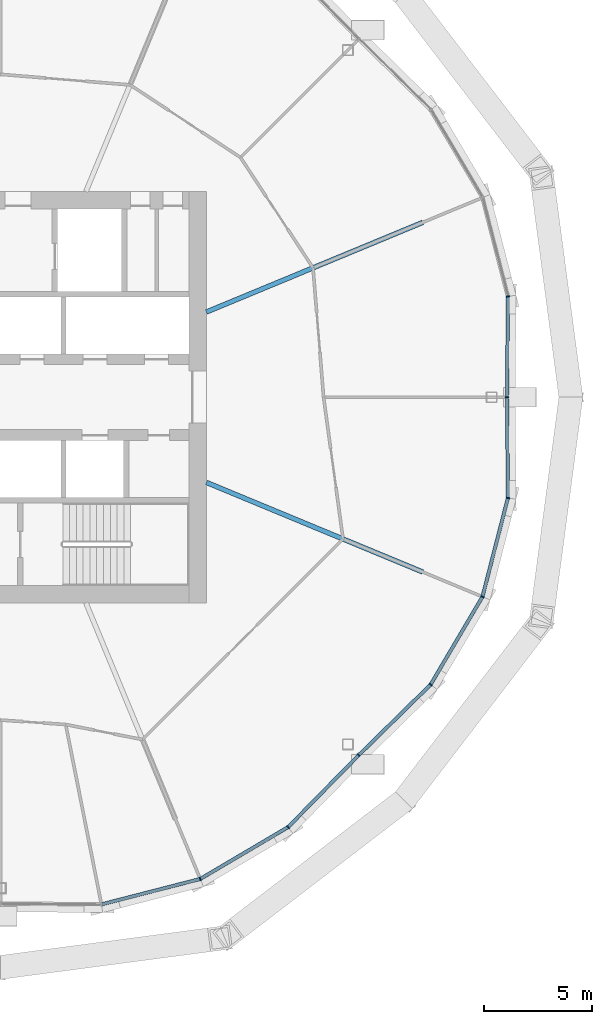
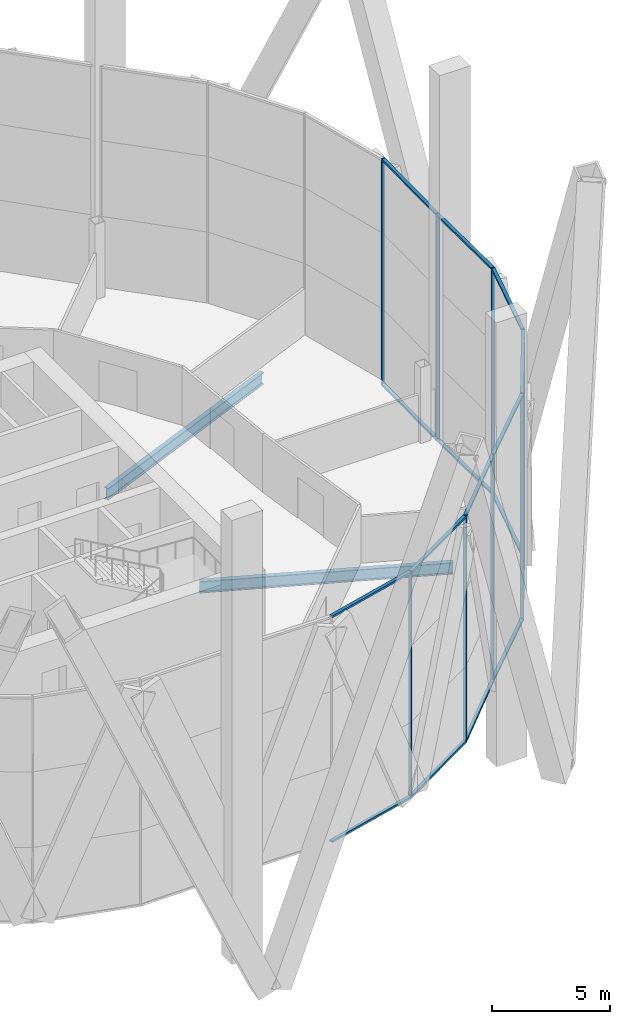
# One storey, part 5 of 26: 24 members, 2 beams, 3 elements without a shape of their own.
"""IFC4 building model written with IfcOpenShell, lengths in metres."""

from ifc_helpers import new_model, si_unit, direction, frame, origin, origin_2d, place, context, subcontext, project, spatial, rectangle, i_section, extrude, material, material_profile, profile_set, type_object, element, aggregate, save


model = new_model("IFC4")

# Units and contexts
model_context = context("Model", 3, precision=1e-05, world=origin(), true_north=direction((0.0, 1.0)))
body_context = subcontext(model_context, "Body", "Model", "MODEL_VIEW")
ifc_project = project(units=[si_unit("LENGTHUNIT", "METRE"), si_unit("AREAUNIT", "SQUARE_METRE"), si_unit("VOLUMEUNIT", "CUBIC_METRE"), si_unit("PLANEANGLEUNIT", "RADIAN"), si_unit("MASSUNIT", "GRAM", prefix="KILO")], contexts=[model_context])

# Site, building, storey
site_placement = place(None, origin())
site = spatial("IfcSite", under=ifc_project, at=site_placement, CompositionType="ELEMENT")
building_placement = place(site_placement, origin())
building = spatial("IfcBuilding", under=site, at=building_placement, Name="Ogive Gate Towers", CompositionType="ELEMENT")
storey_placement = place(building_placement, frame((0.0, 0.0, 76.199951171875)))
storey = spatial("IfcBuildingStorey", under=building, at=storey_placement, Name="L17", CompositionType="ELEMENT", Elevation=76.199951171875)

# Beams
ifc_material_1 = material(Name="Steel SM355", Category="steel")
ifc_material_profile_1 = material_profile(ifc_material_1, i_section(OverallWidth=0.219970703125, OverallDepth=0.60009765625, WebThickness=0.011962890625, FlangeThickness=0.01904296875, FilletRadius=0.02392578125, at=origin_2d()), Name="IPE 600")
ifc_profile_set_1 = profile_set([ifc_material_profile_1], Name="Steel SM355")
beam_type = type_object("IfcBeamType", Name="Radial floor beam IPE 600", PredefinedType="BEAM", material=ifc_profile_set_1)
for number, where, z_axis, x_axis, name in (
    (1, (-26.5, -3.93505859375, -0.599853515625), (0.923882772696, -0.382675609774, 0.0), (0.382675609774, 0.923882772696, 0.0), "T1/L17/SBM003"),
    (2, (-26.5, 3.93505859375, -0.599853515625), (0.923882772696, 0.382675609774, 0.0), (-0.382675609774, 0.923882772696, 0.0), "T1/L17/SBM004"),
):
    element("IfcBeam", number, at=place(storey_placement, frame(where, z_axis=z_axis, x_axis=x_axis)), inside=storey, type_object=beam_type, Name=name, PredefinedType="BEAM", context=body_context, shape_type="SweptSolid", body=[
        extrude(i_section(OverallWidth=0.219970703125, OverallDepth=0.60009765625, WebThickness=0.011962890625, FlangeThickness=0.01904296875, FilletRadius=0.02392578125, at=origin_2d()), origin(), (0.0, 0.0, 1.0), 10.809326171875),
    ])

# Curtain wall, members
ifc_material_2 = material(Name="Pale metal aluminium", Category="aluminium")
curtain_wall_type = type_object("IfcCurtainWallType", Name="Tower unitised wall, low zone", PredefinedType="NOTDEFINED", material=ifc_material_2)
curtain_wall_1_placement = place(storey_placement, origin())
curtain_wall_1 = element("IfcCurtainWall", 3, at=curtain_wall_1_placement, inside=storey, type_object=curtain_wall_type, Name="CW1 T1 ECW01", PredefinedType="NOTDEFINED")
ifc_material_profile_2 = material_profile(ifc_material_2, rectangle(XDim=0.159912109375, YDim=0.06005859375, at=origin_2d()), Name="60 x 160 aluminium box")
ifc_profile_set_2 = profile_set([ifc_material_profile_2], Name="Pale metal aluminium")
member_type_1 = type_object("IfcMemberType", Name="Tower unitised wall, low zone mullion 60 x 160", PredefinedType="MULLION", material=ifc_profile_set_2)
member_1_placement = place(storey_placement, frame((-12.6201171875, 0.000244140625, -0.300048828125), z_axis=(0.0, 0.0, 1.0), x_axis=(0.999957699753, -0.009197755467, 0.0)))
member_1 = element("IfcMember", 4, at=member_1_placement, type_object=member_type_1, Name="CW1 mullion", PredefinedType="MULLION", context=body_context, shape_type="SweptSolid", body=[
    extrude(rectangle(XDim=0.159912109375, YDim=0.06005859375, at=origin_2d()), origin(), (0.0, 0.0, 1.0), 11.7001953125),
])
member_2_placement = place(storey_placement, frame((-12.5771484375, 4.653076171875, -0.300048828125), z_axis=(0.0, 0.0, 1.0), x_axis=(0.992635219858, 0.121141736398, 0.0)))
member_2 = element("IfcMember", 5, at=member_2_placement, type_object=member_type_1, Name="CW1 mullion", PredefinedType="MULLION", context=body_context, shape_type="SweptSolid", body=[
    extrude(rectangle(XDim=0.159912109375, YDim=0.06005859375, at=origin_2d()), origin(), (0.0, 0.0, 1.0), 11.7001953125),
])

curtain_wall_2_placement = place(storey_placement, origin())
curtain_wall_2 = element("IfcCurtainWall", 6, at=curtain_wall_2_placement, inside=storey, type_object=curtain_wall_type, Name="CW1 T1 ECW07", PredefinedType="NOTDEFINED")
member_3_placement = place(storey_placement, frame((-26.78466796875, -22.247802734375, -0.300048828125), z_axis=(0.0, 0.0, 1.0), x_axis=(0.382683432365, -0.923879532511, 0.0)))
member_3 = element("IfcMember", 7, at=member_3_placement, type_object=member_type_1, Name="CW1 mullion", PredefinedType="MULLION", context=body_context, shape_type="SweptSolid", body=[
    extrude(rectangle(XDim=0.159912109375, YDim=0.06005859375, at=origin_2d()), origin(), (0.0, 0.0, 1.0), 11.7001953125),
])
member_4_placement = place(storey_placement, frame((-22.7275390625, -19.8525390625, -0.300048828125), z_axis=(0.0, 0.0, 1.0), x_axis=(0.616238951915, -0.787559238498, 0.0)))
member_4 = element("IfcMember", 8, at=member_4_placement, type_object=member_type_1, Name="CW1 mullion", PredefinedType="MULLION", context=body_context, shape_type="SweptSolid", body=[
    extrude(rectangle(XDim=0.159912109375, YDim=0.06005859375, at=origin_2d()), origin(), (0.0, 0.0, 1.0), 11.7001953125),
])
member_5_placement = place(storey_placement, frame((-19.468017578125, -16.5322265625, -0.300048828125), z_axis=(0.0, 0.0, 1.0), x_axis=(0.713568438241, -0.700585529358, 0.0)))
member_5 = element("IfcMember", 9, at=member_5_placement, type_object=member_type_1, Name="CW1 mullion", PredefinedType="MULLION", context=body_context, shape_type="SweptSolid", body=[
    extrude(rectangle(XDim=0.159912109375, YDim=0.06005859375, at=origin_2d()), origin(), (0.0, 0.0, 1.0), 11.7001953125),
])

curtain_wall_3_placement = place(storey_placement, origin())
curtain_wall_3 = element("IfcCurtainWall", 10, at=curtain_wall_3_placement, inside=storey, type_object=curtain_wall_type, Name="CW1 T1 ECW08", PredefinedType="NOTDEFINED")
member_6_placement = place(storey_placement, frame((-16.1474609375, -13.2724609375, -0.300048828125), z_axis=(0.0, 0.0, 1.0), x_axis=(0.787559238498, -0.616238951915, 0.0)))
member_6 = element("IfcMember", 11, at=member_6_placement, type_object=member_type_1, Name="CW1 mullion", PredefinedType="MULLION", context=body_context, shape_type="SweptSolid", body=[
    extrude(rectangle(XDim=0.159912109375, YDim=0.06005859375, at=origin_2d()), origin(), (0.0, 0.0, 1.0), 11.7001953125),
])
member_7_placement = place(storey_placement, frame((-13.752197265625, -9.21533203125, -0.300048828125), z_axis=(0.0, 0.0, 1.0), x_axis=(0.923879532511, -0.382683432365, 0.0)))
member_7 = element("IfcMember", 12, at=member_7_placement, type_object=member_type_1, Name="CW1 mullion", PredefinedType="MULLION", context=body_context, shape_type="SweptSolid", body=[
    extrude(rectangle(XDim=0.159912109375, YDim=0.06005859375, at=origin_2d()), origin(), (0.0, 0.0, 1.0), 11.7001953125),
])
member_8_placement = place(storey_placement, frame((-12.5771484375, -4.653076171875, -0.300048828125), z_axis=(0.0, 0.0, 1.0), x_axis=(0.992635219858, -0.121141736398, 0.0)))
member_8 = element("IfcMember", 13, at=member_8_placement, type_object=member_type_1, Name="CW1 mullion", PredefinedType="MULLION", context=body_context, shape_type="SweptSolid", body=[
    extrude(rectangle(XDim=0.159912109375, YDim=0.06005859375, at=origin_2d()), origin(), (0.0, 0.0, 1.0), 11.7001953125),
])

# Member
ifc_material_profile_3 = material_profile(ifc_material_2, rectangle(XDim=0.159912109375, YDim=0.10009765625, at=origin_2d()), Name="100 x 160 aluminium box")
ifc_profile_set_3 = profile_set([ifc_material_profile_3], Name="Pale metal aluminium")
member_type_2 = type_object("IfcMemberType", Name="Tower unitised wall, low zone transom 100 x 160", PredefinedType="USERDEFINED", material=ifc_profile_set_3)
member_9_placement = place(storey_placement, frame((-12.61962890625, 0.0302734375, 11.35009765625), z_axis=(0.009190983574, 0.999957762018, 0.0), x_axis=(-0.999957762018, 0.009190983574, 0.0)))
member_9 = element("IfcMember", 14, at=member_9_placement, type_object=member_type_2, Name="CW1 transom", ObjectType="TRANSOM", PredefinedType="USERDEFINED", context=body_context, shape_type="SweptSolid", body=[
    extrude(rectangle(XDim=0.159912109375, YDim=0.10009765625, at=origin_2d()), origin(), (0.0, 0.0, 1.0), 4.595458984375),
])

member_10_placement = place(storey_placement, frame((-12.61962890625, 0.0302734375, -0.25), z_axis=(0.009190983574, 0.999957762018, 0.0), x_axis=(-0.999957762018, 0.009190983574, 0.0)))
member_10 = element("IfcMember", 15, at=member_10_placement, type_object=member_type_2, Name="CW1 transom", ObjectType="TRANSOM", PredefinedType="USERDEFINED", context=body_context, shape_type="SweptSolid", body=[
    extrude(rectangle(XDim=0.159912109375, YDim=0.10009765625, at=origin_2d()), origin(), (0.0, 0.0, 1.0), 4.595458984375),
])

aggregate(curtain_wall_1, [member_1, member_2, member_9, member_10])

member_11_placement = place(storey_placement, frame((-31.320556640625, -23.416015625, 11.35009765625), z_axis=(0.968390972422, 0.249437215612, 0.0), x_axis=(-0.249437215612, 0.968390972422, 0.0)))
member_11 = element("IfcMember", 16, at=member_11_placement, type_object=member_type_2, Name="CW1 transom", ObjectType="TRANSOM", PredefinedType="USERDEFINED", context=body_context, shape_type="SweptSolid", body=[
    extrude(rectangle(XDim=0.159912109375, YDim=0.10009765625, at=origin_2d()), origin(), (0.0, 0.0, 1.0), 4.656982421875),
])

member_12_placement = place(storey_placement, frame((-31.320556640625, -23.416015625, -0.25), z_axis=(0.968390972422, 0.249437215612, 0.0), x_axis=(-0.249437215612, 0.968390972422, 0.0)))
member_12 = element("IfcMember", 17, at=member_12_placement, type_object=member_type_2, Name="CW1 transom", ObjectType="TRANSOM", PredefinedType="USERDEFINED", context=body_context, shape_type="SweptSolid", body=[
    extrude(rectangle(XDim=0.159912109375, YDim=0.10009765625, at=origin_2d()), origin(), (0.0, 0.0, 1.0), 4.656982421875),
])

member_13_placement = place(storey_placement, frame((-26.76123046875, -22.23388671875, 11.35009765625), z_axis=(0.861125816028, 0.508391904902, 0.0), x_axis=(-0.508391904902, 0.861125816028, 0.0)))
member_13 = element("IfcMember", 18, at=member_13_placement, type_object=member_type_2, Name="CW1 transom", ObjectType="TRANSOM", PredefinedType="USERDEFINED", context=body_context, shape_type="SweptSolid", body=[
    extrude(rectangle(XDim=0.159912109375, YDim=0.10009765625, at=origin_2d()), origin(), (0.0, 0.0, 1.0), 4.65673828125),
])

member_14_placement = place(storey_placement, frame((-26.76123046875, -22.23388671875, -0.25), z_axis=(0.861125816028, 0.508391904902, 0.0), x_axis=(-0.508391904902, 0.861125816028, 0.0)))
member_14 = element("IfcMember", 19, at=member_14_placement, type_object=member_type_2, Name="CW1 transom", ObjectType="TRANSOM", PredefinedType="USERDEFINED", context=body_context, shape_type="SweptSolid", body=[
    extrude(rectangle(XDim=0.159912109375, YDim=0.10009765625, at=origin_2d()), origin(), (0.0, 0.0, 1.0), 4.65673828125),
])

member_15_placement = place(storey_placement, frame((-22.70849609375, -19.8330078125, 11.35009765625), z_axis=(0.700568931342, 0.713584733888, 0.0), x_axis=(-0.713584733888, 0.700568931342, 0.0)))
member_15 = element("IfcMember", 20, at=member_15_placement, type_object=member_type_2, Name="CW1 transom", ObjectType="TRANSOM", PredefinedType="USERDEFINED", context=body_context, shape_type="SweptSolid", body=[
    extrude(rectangle(XDim=0.159912109375, YDim=0.10009765625, at=origin_2d()), origin(), (0.0, 0.0, 1.0), 4.595458984375),
])

member_16_placement = place(storey_placement, frame((-22.70849609375, -19.8330078125, -0.25), z_axis=(0.700568931342, 0.713584733888, 0.0), x_axis=(-0.713584733888, 0.700568931342, 0.0)))
member_16 = element("IfcMember", 21, at=member_16_placement, type_object=member_type_2, Name="CW1 transom", ObjectType="TRANSOM", PredefinedType="USERDEFINED", context=body_context, shape_type="SweptSolid", body=[
    extrude(rectangle(XDim=0.159912109375, YDim=0.10009765625, at=origin_2d()), origin(), (0.0, 0.0, 1.0), 4.595458984375),
])

aggregate(curtain_wall_2, [member_3, member_11, member_12, member_4, member_13, member_14, member_5, member_15, member_16])

member_17_placement = place(storey_placement, frame((-19.4462890625, -16.510986328125, 11.35009765625), z_axis=(0.713584733888, 0.700568931342, 0.0), x_axis=(-0.700568931342, 0.713584733888, 0.0)))
member_17 = element("IfcMember", 22, at=member_17_placement, type_object=member_type_2, Name="CW1 transom", ObjectType="TRANSOM", PredefinedType="USERDEFINED", context=body_context, shape_type="SweptSolid", body=[
    extrude(rectangle(XDim=0.159912109375, YDim=0.10009765625, at=origin_2d()), origin(), (0.0, 0.0, 1.0), 4.595458984375),
])

member_18_placement = place(storey_placement, frame((-19.4462890625, -16.510986328125, -0.25), z_axis=(0.713584733888, 0.700568931342, 0.0), x_axis=(-0.700568931342, 0.713584733888, 0.0)))
member_18 = element("IfcMember", 23, at=member_18_placement, type_object=member_type_2, Name="CW1 transom", ObjectType="TRANSOM", PredefinedType="USERDEFINED", context=body_context, shape_type="SweptSolid", body=[
    extrude(rectangle(XDim=0.159912109375, YDim=0.10009765625, at=origin_2d()), origin(), (0.0, 0.0, 1.0), 4.595458984375),
])

member_19_placement = place(storey_placement, frame((-16.133544921875, -13.248779296875, 11.35009765625), z_axis=(0.508391904902, 0.861125816028, 0.0), x_axis=(-0.861125816028, 0.508391904902, 0.0)))
member_19 = element("IfcMember", 24, at=member_19_placement, type_object=member_type_2, Name="CW1 transom", ObjectType="TRANSOM", PredefinedType="USERDEFINED", context=body_context, shape_type="SweptSolid", body=[
    extrude(rectangle(XDim=0.159912109375, YDim=0.10009765625, at=origin_2d()), origin(), (0.0, 0.0, 1.0), 4.65673828125),
])

member_20_placement = place(storey_placement, frame((-16.133544921875, -13.248779296875, -0.25), z_axis=(0.508391904902, 0.861125816028, 0.0), x_axis=(-0.861125816028, 0.508391904902, 0.0)))
member_20 = element("IfcMember", 25, at=member_20_placement, type_object=member_type_2, Name="CW1 transom", ObjectType="TRANSOM", PredefinedType="USERDEFINED", context=body_context, shape_type="SweptSolid", body=[
    extrude(rectangle(XDim=0.159912109375, YDim=0.10009765625, at=origin_2d()), origin(), (0.0, 0.0, 1.0), 4.65673828125),
])

member_21_placement = place(storey_placement, frame((-13.74560546875, -9.189208984375, 11.35009765625), z_axis=(0.249437215612, 0.968390972422, 0.0), x_axis=(-0.968390972422, 0.249437215612, 0.0)))
member_21 = element("IfcMember", 26, at=member_21_placement, type_object=member_type_2, Name="CW1 transom", ObjectType="TRANSOM", PredefinedType="USERDEFINED", context=body_context, shape_type="SweptSolid", body=[
    extrude(rectangle(XDim=0.159912109375, YDim=0.10009765625, at=origin_2d()), origin(), (0.0, 0.0, 1.0), 4.656982421875),
])

member_22_placement = place(storey_placement, frame((-13.74560546875, -9.189208984375, -0.25), z_axis=(0.249437215612, 0.968390972422, 0.0), x_axis=(-0.968390972422, 0.249437215612, 0.0)))
member_22 = element("IfcMember", 27, at=member_22_placement, type_object=member_type_2, Name="CW1 transom", ObjectType="TRANSOM", PredefinedType="USERDEFINED", context=body_context, shape_type="SweptSolid", body=[
    extrude(rectangle(XDim=0.159912109375, YDim=0.10009765625, at=origin_2d()), origin(), (0.0, 0.0, 1.0), 4.656982421875),
])

member_23_placement = place(storey_placement, frame((-12.577392578125, -4.62548828125, 11.35009765625), z_axis=(-0.009190983574, 0.999957762018, 0.0), x_axis=(-0.999957762018, -0.009190983574, 0.0)))
member_23 = element("IfcMember", 28, at=member_23_placement, type_object=member_type_2, Name="CW1 transom", ObjectType="TRANSOM", PredefinedType="USERDEFINED", context=body_context, shape_type="SweptSolid", body=[
    extrude(rectangle(XDim=0.159912109375, YDim=0.10009765625, at=origin_2d()), origin(), (0.0, 0.0, 1.0), 4.595458984375),
])

member_24_placement = place(storey_placement, frame((-12.577392578125, -4.62548828125, -0.25), z_axis=(-0.009190983574, 0.999957762018, 0.0), x_axis=(-0.999957762018, -0.009190983574, 0.0)))
member_24 = element("IfcMember", 29, at=member_24_placement, type_object=member_type_2, Name="CW1 transom", ObjectType="TRANSOM", PredefinedType="USERDEFINED", context=body_context, shape_type="SweptSolid", body=[
    extrude(rectangle(XDim=0.159912109375, YDim=0.10009765625, at=origin_2d()), origin(), (0.0, 0.0, 1.0), 4.595458984375),
])

aggregate(curtain_wall_3, [member_6, member_17, member_18, member_7, member_19, member_20, member_8, member_21, member_22, member_23, member_24])

save(model, "model.ifc")
